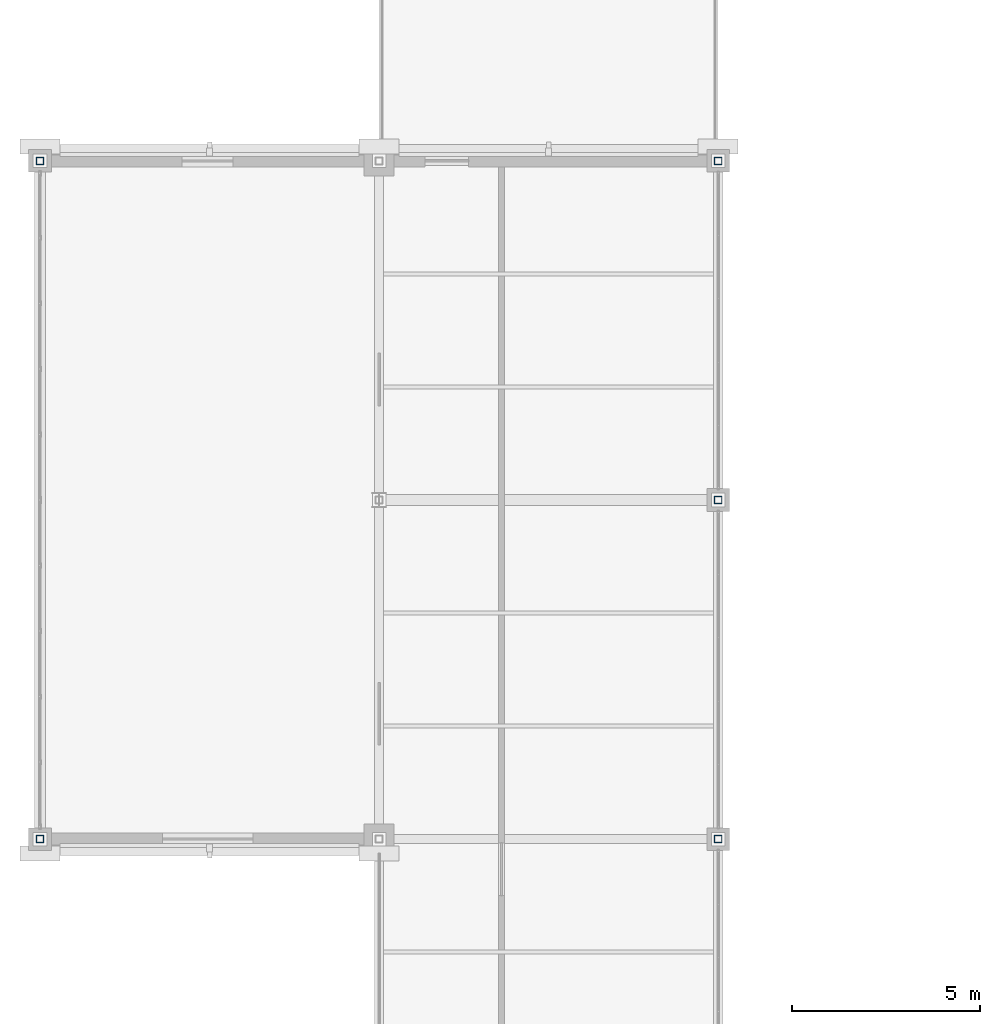
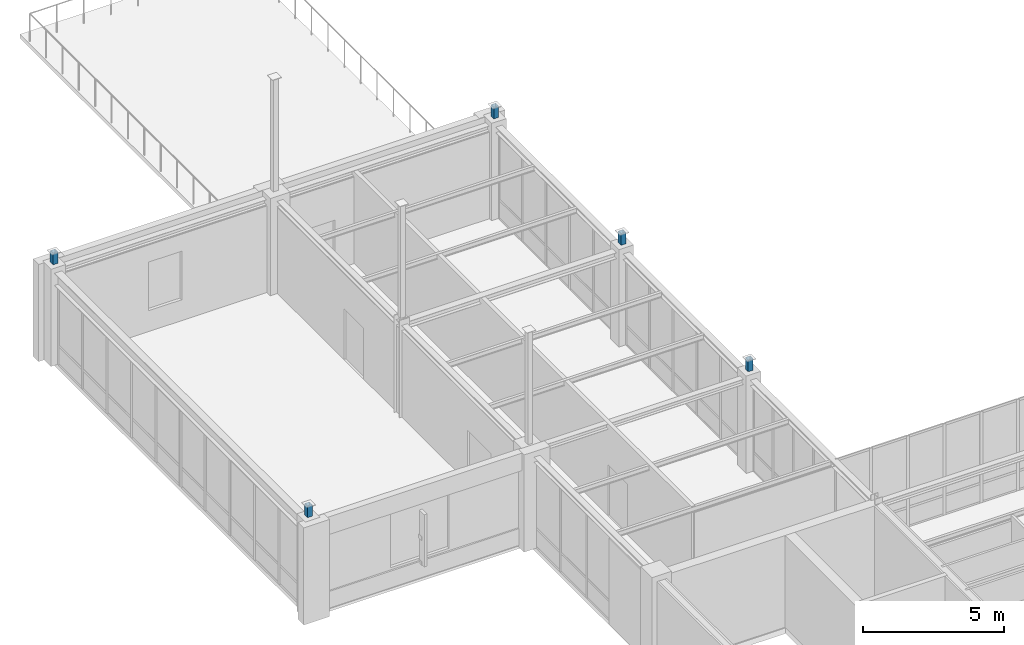
# One storey, part 27 of 36: 5 members.
"""IFC4 building model written with IfcOpenShell, lengths in metres."""

from ifc_helpers import new_model, si_unit, direction, frame, origin, origin_2d, place, context, subcontext, project, spatial, hollow_rectangle, extrude, material, material_profile, profile_set, type_object, element, save


model = new_model("IFC4")

# Units and contexts
model_context = context("Model", 3, precision=1e-05, world=origin(), true_north=direction((0.0, 1.0)))
body_context = subcontext(model_context, "Body", "Model", "MODEL_VIEW")
ifc_project = project(units=[si_unit("LENGTHUNIT", "METRE"), si_unit("AREAUNIT", "SQUARE_METRE"), si_unit("VOLUMEUNIT", "CUBIC_METRE"), si_unit("PLANEANGLEUNIT", "RADIAN"), si_unit("MASSUNIT", "GRAM", prefix="KILO")], contexts=[model_context])

# Site, building, storey
site_placement = place(None, origin())
site = spatial("IfcSite", under=ifc_project, at=site_placement, CompositionType="ELEMENT")
building_placement = place(site_placement, origin())
building = spatial("IfcBuilding", under=site, at=building_placement, Name="Lykobir Media Centre", CompositionType="ELEMENT")
storey_placement = place(building_placement, frame((0.0, 0.0, 27.60009765625)))
storey = spatial("IfcBuildingStorey", under=building, at=storey_placement, Name="L06", CompositionType="ELEMENT", Elevation=27.60009765625)

# Members
ifc_material = material(Name="Steel S355", Category="steel")
ifc_material_profile = material_profile(ifc_material, hollow_rectangle(XDim=0.199951171875, YDim=0.199951171875, WallThickness=0.010009765625, at=origin_2d()), Name="SHS 200x200x10")
ifc_profile_set = profile_set([ifc_material_profile], Name="Steel S355")
member_type = type_object("IfcMemberType", Name="TC-SHS200", PredefinedType="CHORD", material=ifc_profile_set)
for number, where, z_axis, x_axis, name in (
    (1, (18.0, 27.0, 4.199951171875), (0.0, 0.0, 1.0), (1.0, 0.0, 0.0), "Truss chord MEM2-L06-0180-0270-0318-0180-0270-0001"),
    (2, (18.0, 45.0, 4.199951171875), (0.0, 0.0, 1.0), (1.0, 0.0, 0.0), "Truss chord MEM2-L06-0180-0450-0318-0180-0450-0002"),
    (3, (36.0, 27.0, 4.199951171875), (0.0, 0.0, 1.0), (1.0, 0.0, 0.0), "Truss chord MEM2-L06-0360-0270-0318-0360-0270-0006"),
    (4, (36.0, 36.0, 4.199951171875), (0.0, 0.0, 1.0), (1.0, 0.0, 0.0), "Truss chord MEM2-L06-0360-0360-0318-0360-0360-0007"),
    (5, (36.0, 45.0, 4.199951171875), (0.0, 0.0, 1.0), (1.0, 0.0, 0.0), "Truss chord MEM2-L06-0360-0450-0318-0360-0450-0008"),
):
    element("IfcMember", number, at=place(storey_placement, frame(where, z_axis=z_axis, x_axis=x_axis)), inside=storey, type_object=member_type, Name=name, PredefinedType="CHORD", context=body_context, shape_type="SweptSolid", body=[
        extrude(hollow_rectangle(XDim=0.199951171875, YDim=0.199951171875, WallThickness=0.010009765625, at=origin_2d()), origin(), (0.0, 0.0, 1.0), 0.50146484375),
    ])

save(model, "model.ifc")
